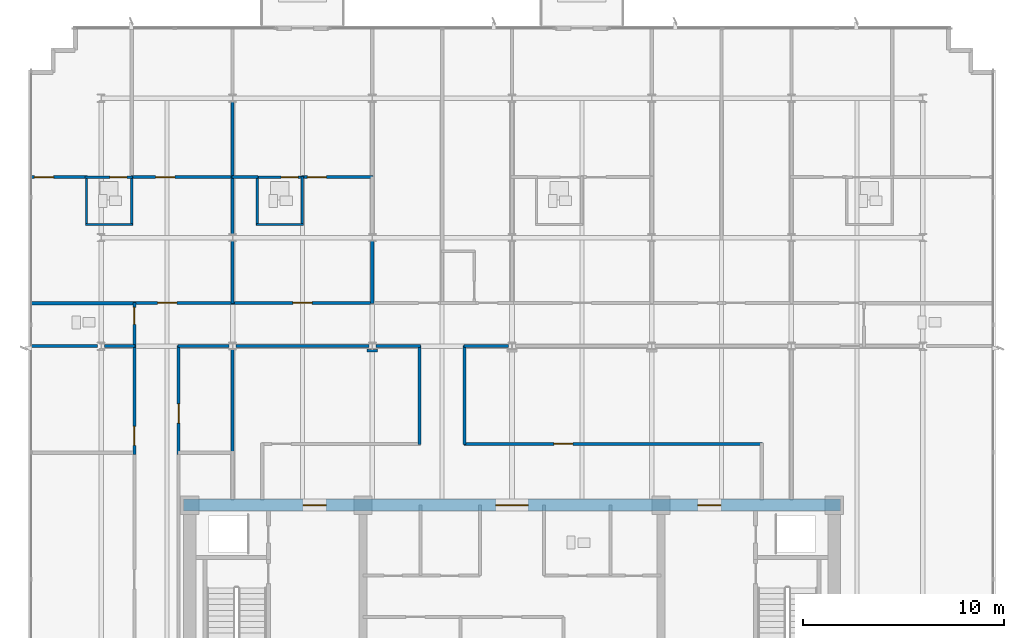
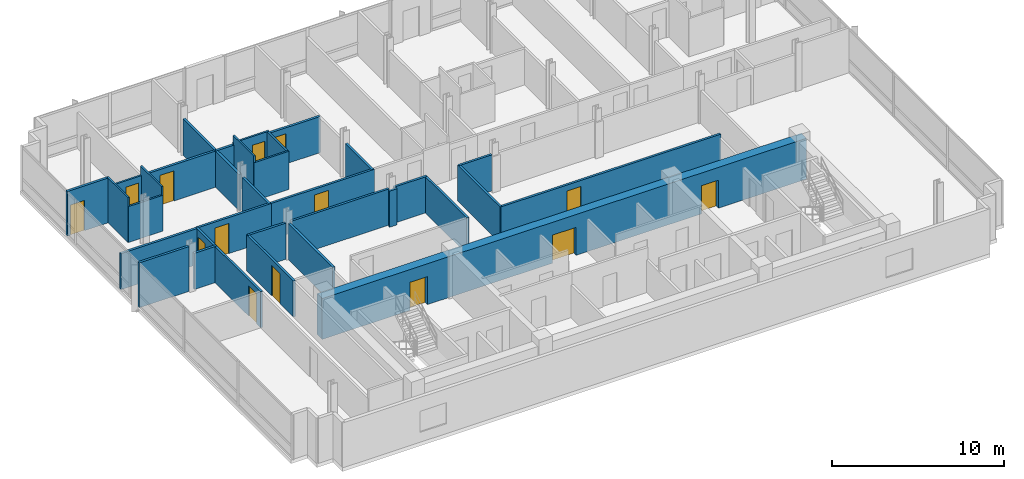
# One storey, part 9 of 15: 34 walls, 14 doors, 14 openings.
"""IFC4 building model written with IfcOpenShell, lengths in metres."""

from ifc_helpers import new_model, si_unit, direction, frame, frame_2d, origin, place, context, subcontext, project, spatial, rectangle, extrude, material, layer, layer_set, type_object, element, fill, save


model = new_model("IFC4")

# Units and contexts
model_context = context("Model", 3, precision=1e-05, world=origin(), true_north=direction((0.0, 1.0)))
body_context = subcontext(model_context, "Body", "Model", "MODEL_VIEW")
ifc_project = project(units=[si_unit("LENGTHUNIT", "METRE"), si_unit("AREAUNIT", "SQUARE_METRE"), si_unit("VOLUMEUNIT", "CUBIC_METRE"), si_unit("PLANEANGLEUNIT", "RADIAN"), si_unit("MASSUNIT", "GRAM", prefix="KILO")], contexts=[model_context])

# Site, building, storey
site_placement = place(None, origin())
site = spatial("IfcSite", under=ifc_project, at=site_placement, CompositionType="ELEMENT")
building_placement = place(site_placement, origin())
building = spatial("IfcBuilding", under=site, at=building_placement, Name="Solmavex Isthmus Hotel", CompositionType="ELEMENT")
storey_placement = place(building_placement, frame((0.0, 0.0, 259.199951171875)))
storey = spatial("IfcBuildingStorey", under=building, at=storey_placement, Name="L70", CompositionType="ELEMENT", Elevation=259.199951171875)

# Wall, opening, door
ifc_material_1 = material(Name="Gypsum plasterboard lining", Category="gypsum")
ifc_layer_1 = layer(ifc_material_1, 0.159912109375)
ifc_layer_set_1 = layer_set([ifc_layer_1], Name="Gypsum plasterboard lining")
wall_type_1 = type_object("IfcWallType", Name="IW-COMP-160", PredefinedType="PARTITIONING", material=ifc_layer_set_1)
wall_1_placement = place(storey_placement, frame((-23.919921875, 13.7880859375, 0.0), z_axis=(0.0, 0.0, 1.0), x_axis=(1.0, 0.0, 0.0)))
wall_1 = element("IfcWall", 1, at=wall_1_placement, inside=storey, type_object=wall_type_1, Name="Interior Partition Wall W-L70-P033", PredefinedType="PARTITIONING", context=body_context, shape_type="SweptSolid", body=[
    extrude(rectangle(XDim=2.833984375, YDim=0.159912109375, at=frame_2d((1.4169921875, 0.0))), origin(), (0.0, 0.0, 1.0), 3.18994140625),
])
opening_1_placement = place(wall_1_placement, frame((0.2099609375, 0.0, 0.0)))
opening_1 = element("IfcOpeningElement", 2, at=opening_1_placement, cuts=wall_1, Name="Opening ID-C095", PredefinedType="OPENING", context=body_context, shape_type="SweptSolid", body=[
    extrude(rectangle(XDim=0.949951171875, YDim=2.14990234375, at=frame_2d((0.47509765625, 1.074951171875))), frame((0.0, 0.08984375, 0.0), z_axis=(0.0, -1.0, 0.0), x_axis=(1.0, 0.0, 0.0)), (0.0, 0.0, 1.0), 0.179931640625),
])
ifc_material_2 = material(Name="Hardwood timber", Category="wood")
door_type_1 = type_object("IfcDoorType", Name="IDR-FD60-0950", OperationType="NOTDEFINED", PredefinedType="DOOR", material=ifc_material_2)
door_1_placement = place(opening_1_placement, origin())
door_1 = element("IfcDoor", 3, at=door_1_placement, inside=storey, type_object=door_type_1, Name="Ambassador Panorama Suite Master Bedroom Door L70-02", OperationType="SINGLE_SWING_RIGHT", OverallHeight=2.14990234375, OverallWidth=0.949951171875, PredefinedType="DOOR", context=body_context, shape_type="SweptSolid", body=[
    extrude(rectangle(XDim=0.949951171875, YDim=2.14990234375, at=frame_2d((0.47509765625, 1.074951171875))), frame((0.0, 0.02490234375, 0.0), z_axis=(0.0, -1.0, 0.0), x_axis=(1.0, 0.0, 0.0)), (0.0, 0.0, 1.0), 0.050048828125),
])
fill(opening_1, door_1)

wall_2_placement = place(storey_placement, frame((-18.916015625, 13.7880859375, 0.0), z_axis=(0.0, 0.0, 1.0), x_axis=(1.0, 0.0, 0.0)))
wall_2 = element("IfcWall", 4, at=wall_2_placement, inside=storey, type_object=wall_type_1, Name="Interior Partition Wall W-L70-P034", PredefinedType="PARTITIONING", context=body_context, shape_type="SweptSolid", body=[
    extrude(rectangle(XDim=5.083984375, YDim=0.159912109375, at=frame_2d((2.5419921875, 0.0))), origin(), (0.0, 0.0, 1.0), 2.572265625),
])
opening_2_placement = place(wall_2_placement, frame((1.226318359375, 0.0, 0.0)))
opening_2 = element("IfcOpeningElement", 5, at=opening_2_placement, cuts=wall_2, Name="Opening ID-C095", PredefinedType="OPENING", context=body_context, shape_type="SweptSolid", body=[
    extrude(rectangle(XDim=0.949951171875, YDim=2.14990234375, at=frame_2d((0.47509765625, 1.074951171875))), frame((0.0, 0.08984375, 0.0), z_axis=(0.0, -1.0, 0.0), x_axis=(1.0, 0.0, 0.0)), (0.0, 0.0, 1.0), 0.179931640625),
])
door_2_placement = place(opening_2_placement, origin())
door_2 = element("IfcDoor", 6, at=door_2_placement, inside=storey, type_object=door_type_1, Name="Ambassador Panorama Suite Panorama Sitting Study Door L70-03", OperationType="SINGLE_SWING_LEFT", OverallHeight=2.14990234375, OverallWidth=0.949951171875, PredefinedType="DOOR", context=body_context, shape_type="SweptSolid", body=[
    extrude(rectangle(XDim=0.949951171875, YDim=2.14990234375, at=frame_2d((0.47509765625, 1.074951171875))), frame((0.0, 0.02490234375, 0.0), z_axis=(0.0, -1.0, 0.0), x_axis=(1.0, 0.0, 0.0)), (0.0, 0.0, 1.0), 0.050048828125),
])
fill(opening_2, door_2)

# Walls
wall_3_placement = place(storey_placement, frame((-13.8720703125, 10.613037109375, 0.0), z_axis=(0.0, 0.0, 1.0), x_axis=(0.0, -1.0, 0.0)))
element("IfcWall", 7, at=wall_3_placement, inside=storey, type_object=wall_type_1, Name="Interior Partition Wall W-L70-P038", PredefinedType="PARTITIONING", context=body_context, shape_type="SweptSolid", body=[
    extrude(rectangle(XDim=3.10302734375, YDim=0.159912109375, at=frame_2d((1.551513671875, 0.0))), origin(), (0.0, 0.0, 1.0), 2.572265625),
])
wall_4_placement = place(storey_placement, frame((-13.8720703125, 13.827880859375, 0.0), z_axis=(0.0, 0.0, 1.0), x_axis=(0.0, -1.0, 0.0)))
element("IfcWall", 8, at=wall_4_placement, inside=storey, type_object=wall_type_1, Name="Interior Partition Wall W-L70-P039", PredefinedType="PARTITIONING", context=body_context, shape_type="SweptSolid", body=[
    extrude(rectangle(XDim=2.864990234375, YDim=0.159912109375, at=frame_2d((1.4326171875, 0.0))), origin(), (0.0, 0.0, 1.0), 2.572265625),
])
wall_5_placement = place(storey_placement, frame((-18.7099609375, 7.530029296875, 0.0), z_axis=(0.0, 0.0, 1.0), x_axis=(-1.0, 0.0, 0.0)))
element("IfcWall", 9, at=wall_5_placement, inside=storey, type_object=wall_type_1, Name="Interior Partition Wall W-L70-P040", PredefinedType="PARTITIONING", context=body_context, shape_type="SweptSolid", body=[
    extrude(rectangle(XDim=5.2099609375, YDim=0.159912109375, at=frame_2d((2.60498046875, 0.0))), origin(), (0.0, 0.0, 1.0), 2.5576171875),
])
wall_6_placement = place(storey_placement, frame((-13.8720703125, 17.52490234375, 0.0), z_axis=(0.0, 0.0, 1.0), x_axis=(0.0, -1.0, 0.0)))
element("IfcWall", 10, at=wall_6_placement, inside=storey, type_object=wall_type_1, Name="Interior Partition Wall W-L70-P043", PredefinedType="PARTITIONING", context=body_context, shape_type="SweptSolid", body=[
    extrude(rectangle(XDim=3.77685546875, YDim=0.159912109375, at=frame_2d((1.888427734375, 0.0))), origin(), (0.0, 0.0, 1.0), 2.572265625),
])
wall_7_placement = place(storey_placement, frame((-13.912109375, 13.7880859375, 0.0), z_axis=(0.0, 0.0, 1.0), x_axis=(1.0, 0.0, 0.0)))
element("IfcWall", 11, at=wall_7_placement, inside=storey, type_object=wall_type_1, Name="Interior Partition Wall W-L70-P045", PredefinedType="PARTITIONING", context=body_context, shape_type="SweptSolid", body=[
    extrude(rectangle(XDim=1.298095703125, YDim=0.159912109375, at=frame_2d((0.64892578125, 0.0))), origin(), (0.0, 0.0, 1.0), 2.572265625),
])

# Wall, opening, door
wall_8_placement = place(storey_placement, frame((-10.444091796875, 13.7880859375, 0.0), z_axis=(0.0, 0.0, 1.0), x_axis=(1.0, 0.0, 0.0)))
wall_8 = element("IfcWall", 12, at=wall_8_placement, inside=storey, type_object=wall_type_1, Name="Interior Partition Wall W-L70-P046", PredefinedType="PARTITIONING", context=body_context, shape_type="SweptSolid", body=[
    extrude(rectangle(XDim=3.548095703125, YDim=0.159912109375, at=frame_2d((1.77392578125, 0.0))), origin(), (0.0, 0.0, 1.0), 2.572265625),
])
opening_3_placement = place(wall_8_placement, frame((0.279296875, 0.0, 0.0)))
opening_3 = element("IfcOpeningElement", 13, at=opening_3_placement, cuts=wall_8, Name="Opening ID-C095", PredefinedType="OPENING", context=body_context, shape_type="SweptSolid", body=[
    extrude(rectangle(XDim=0.949951171875, YDim=2.14990234375, at=frame_2d((0.47509765625, 1.074951171875))), frame((0.0, 0.08984375, 0.0), z_axis=(0.0, -1.0, 0.0), x_axis=(1.0, 0.0, 0.0)), (0.0, 0.0, 1.0), 0.179931640625),
])
door_3_placement = place(opening_3_placement, origin())
door_3 = element("IfcDoor", 14, at=door_3_placement, inside=storey, type_object=door_type_1, Name="Ambassador Panorama Suite Master Bedroom Door L70-06", OperationType="SINGLE_SWING_RIGHT", OverallHeight=2.14990234375, OverallWidth=0.949951171875, PredefinedType="DOOR", context=body_context, shape_type="SweptSolid", body=[
    extrude(rectangle(XDim=0.949951171875, YDim=2.14990234375, at=frame_2d((0.47509765625, 1.074951171875))), frame((0.0, 0.02490234375, 0.0), z_axis=(0.0, -1.0, 0.0), x_axis=(1.0, 0.0, 0.0)), (0.0, 0.0, 1.0), 0.050048828125),
])
fill(opening_3, door_3)

# Walls
wall_9_placement = place(storey_placement, frame((-6.93603515625, 10.613037109375, 0.0), z_axis=(0.0, 0.0, 1.0), x_axis=(0.0, -1.0, 0.0)))
element("IfcWall", 15, at=wall_9_placement, inside=storey, type_object=wall_type_1, Name="Interior Partition Wall W-L70-P050", PredefinedType="PARTITIONING", context=body_context, shape_type="SweptSolid", body=[
    extrude(rectangle(XDim=3.10302734375, YDim=0.159912109375, at=frame_2d((1.551513671875, 0.0))), origin(), (0.0, 0.0, 1.0), 2.572265625),
])
wall_10_placement = place(storey_placement, frame((-20.574951171875, 5.39990234375, 0.0), z_axis=(0.0, 0.0, 1.0), x_axis=(-1.0, 0.0, 0.0)))
element("IfcWall", 16, at=wall_10_placement, inside=storey, type_object=wall_type_1, Name="Interior Partition Wall W-L70-P086", PredefinedType="PARTITIONING", context=body_context, shape_type="SweptSolid", body=[
    extrude(rectangle(XDim=3.344970703125, YDim=0.159912109375, at=frame_2d((1.67236328125, 0.0))), origin(), (0.0, 0.0, 1.0), 3.18994140625),
])
wall_11_placement = place(storey_placement, frame((-18.7099609375, 5.39990234375, 0.0), z_axis=(0.0, 0.0, 1.0), x_axis=(-1.0, 0.0, 0.0)))
element("IfcWall", 17, at=wall_11_placement, inside=storey, type_object=wall_type_1, Name="Interior Partition Wall W-L70-P087", PredefinedType="PARTITIONING", context=body_context, shape_type="SweptSolid", body=[
    extrude(rectangle(XDim=1.51513671875, YDim=0.159912109375, at=frame_2d((0.757568359375, 0.0))), origin(), (0.0, 0.0, 1.0), 2.572265625),
])
wall_12_placement = place(storey_placement, frame((-13.8720703125, 5.22509765625, 0.0), z_axis=(0.0, 0.0, 1.0), x_axis=(0.0, -1.0, 0.0)))
element("IfcWall", 18, at=wall_12_placement, inside=storey, type_object=wall_type_1, Name="Interior Partition Wall W-L70-P090", PredefinedType="PARTITIONING", context=body_context, shape_type="SweptSolid", body=[
    extrude(rectangle(XDim=5.1650390625, YDim=0.159912109375, at=frame_2d((2.58251953125, 0.0))), origin(), (0.0, 0.0, 1.0), 2.572265625),
])

# Wall, opening, door
ifc_layer_2 = layer(ifc_material_1, 0.14990234375)
ifc_layer_set_2 = layer_set([ifc_layer_2], Name="Gypsum plasterboard lining")
wall_type_2 = type_object("IfcWallType", Name="IW-CORR-150", PredefinedType="PARTITIONING", material=ifc_layer_set_2)
wall_13_placement = place(storey_placement, frame((-18.7900390625, 7.550048828125, 0.0), z_axis=(0.0, 0.0, 1.0), x_axis=(1.0, 0.0, 0.0)))
wall_13 = element("IfcWall", 19, at=wall_13_placement, inside=storey, type_object=wall_type_2, Name="Interior Partition Wall W-L70-P001", PredefinedType="PARTITIONING", context=body_context, shape_type="SweptSolid", body=[
    extrude(rectangle(XDim=5.0, YDim=0.14990234375, at=frame_2d((2.5, 0.0))), origin(), (0.0, 0.0, 1.0), 2.572265625),
])
opening_4_placement = place(wall_13_placement, frame((1.198486328125, 0.0, 0.0)))
opening_4 = element("IfcOpeningElement", 20, at=opening_4_placement, cuts=wall_13, Name="Opening ID-C095", PredefinedType="OPENING", context=body_context, shape_type="SweptSolid", body=[
    extrude(rectangle(XDim=0.949951171875, YDim=2.14990234375, at=frame_2d((0.47509765625, 1.074951171875))), frame((0.0, 0.0849609375, 0.0), z_axis=(0.0, -1.0, 0.0), x_axis=(1.0, 0.0, 0.0)), (0.0, 0.0, 1.0), 0.169921875),
])
door_4_placement = place(opening_4_placement, origin())
door_4 = element("IfcDoor", 21, at=door_4_placement, inside=storey, type_object=door_type_1, Name="Ambassador Panorama Suite Living Salon Door L70-01", OperationType="SINGLE_SWING_LEFT", OverallHeight=2.14990234375, OverallWidth=0.949951171875, PredefinedType="DOOR", context=body_context, shape_type="SweptSolid", body=[
    extrude(rectangle(XDim=0.949951171875, YDim=2.14990234375, at=frame_2d((0.47509765625, 1.074951171875))), frame((0.0, 0.02490234375, 0.0), z_axis=(0.0, -1.0, 0.0), x_axis=(1.0, 0.0, 0.0)), (0.0, 0.0, 1.0), 0.050048828125),
])
fill(opening_4, door_4)

wall_14_placement = place(storey_placement, frame((-13.9541015625, 7.550048828125, 0.0), z_axis=(0.0, 0.0, 1.0), x_axis=(1.0, 0.0, 0.0)))
wall_14 = element("IfcWall", 22, at=wall_14_placement, inside=storey, type_object=wall_type_2, Name="Interior Partition Wall W-L70-P002", PredefinedType="PARTITIONING", context=body_context, shape_type="SweptSolid", body=[
    extrude(rectangle(XDim=7.10009765625, YDim=0.14990234375, at=frame_2d((3.550048828125, 0.0))), origin(), (0.0, 0.0, 1.0), 2.572265625),
])
opening_5_placement = place(wall_14_placement, frame((3.074951171875, 0.0, 0.0)))
opening_5 = element("IfcOpeningElement", 23, at=opening_5_placement, cuts=wall_14, Name="Opening ID-C095", PredefinedType="OPENING", context=body_context, shape_type="SweptSolid", body=[
    extrude(rectangle(XDim=0.949951171875, YDim=2.14990234375, at=frame_2d((0.47509765625, 1.074951171875))), frame((0.0, 0.0849609375, 0.0), z_axis=(0.0, -1.0, 0.0), x_axis=(1.0, 0.0, 0.0)), (0.0, 0.0, 1.0), 0.169921875),
])
door_5_placement = place(opening_5_placement, origin())
door_5 = element("IfcDoor", 24, at=door_5_placement, inside=storey, type_object=door_type_1, Name="Ambassador Panorama Suite Living Salon Door L70-05", OperationType="SINGLE_SWING_LEFT", OverallHeight=2.14990234375, OverallWidth=0.949951171875, PredefinedType="DOOR", context=body_context, shape_type="SweptSolid", body=[
    extrude(rectangle(XDim=0.949951171875, YDim=2.14990234375, at=frame_2d((0.47509765625, 1.074951171875))), frame((0.0, 0.02490234375, 0.0), z_axis=(0.0, -1.0, 0.0), x_axis=(1.0, 0.0, 0.0)), (0.0, 0.0, 1.0), 0.050048828125),
])
fill(opening_5, door_5)

wall_15_placement = place(storey_placement, frame((-18.75, 5.318115234375, 0.0), z_axis=(0.0, 0.0, 1.0), x_axis=(0.0, 1.0, 0.0)))
wall_15 = element("IfcWall", 25, at=wall_15_placement, inside=storey, type_object=wall_type_2, Name="Interior Partition Wall W-L70-P010", PredefinedType="PARTITIONING", context=body_context, shape_type="SweptSolid", body=[
    extrude(rectangle(XDim=2.251953125, YDim=0.14990234375, at=frame_2d((1.1259765625, 0.0))), origin(), (0.0, 0.0, 1.0), 2.572265625),
])
opening_6_placement = place(wall_15_placement, frame((1.156982421875, 0.0, 0.0)))
opening_6 = element("IfcOpeningElement", 26, at=opening_6_placement, cuts=wall_15, Name="Opening ID-R085", PredefinedType="OPENING", context=body_context, shape_type="SweptSolid", body=[
    extrude(rectangle(XDim=0.85009765625, YDim=2.050048828125, at=frame_2d((0.425048828125, 1.02490234375))), frame((0.0, 0.0849609375, 0.0), z_axis=(0.0, -1.0, 0.0), x_axis=(1.0, 0.0, 0.0)), (0.0, 0.0, 1.0), 0.169921875),
])
ifc_material_3 = material(Name="Steel ASTM A500 Grade C", Category="steel")
door_type_2 = type_object("IfcDoorType", Name="IDR-FD60-0850", OperationType="NOTDEFINED", PredefinedType="DOOR", material=ifc_material_3)
door_6_placement = place(opening_6_placement, frame((0.85009765625, 0.0, 0.0), z_axis=(0.0, 0.0, 1.0), x_axis=(-1.0, 0.0, 0.0)))
door_6 = element("IfcDoor", 27, at=door_6_placement, inside=storey, type_object=door_type_2, Name="Accessible Public Restroom WC Door L70-20", OperationType="SINGLE_SWING_RIGHT", OverallHeight=2.050048828125, OverallWidth=0.85009765625, PredefinedType="DOOR", context=body_context, shape_type="SweptSolid", body=[
    extrude(rectangle(XDim=0.85009765625, YDim=2.050048828125, at=frame_2d((0.425048828125, 1.02490234375))), frame((0.0, 0.02490234375, 0.0), z_axis=(0.0, -1.0, 0.0), x_axis=(1.0, 0.0, 0.0)), (0.0, 0.0, 1.0), 0.050048828125),
])
fill(opening_6, door_6)

# Wall
wall_16_placement = place(storey_placement, frame((-14.047119140625, 5.39990234375, 0.0), z_axis=(0.0, 0.0, 1.0), x_axis=(-1.0, 0.0, 0.0)))
element("IfcWall", 28, at=wall_16_placement, inside=storey, type_object=wall_type_2, Name="Interior Partition Wall W-L70-P012", PredefinedType="PARTITIONING", context=body_context, shape_type="SweptSolid", body=[
    extrude(rectangle(XDim=2.54296875, YDim=0.14990234375, at=frame_2d((1.271484375, 0.0))), origin(), (0.0, 0.0, 1.0), 2.572265625),
])

# Wall, opening, door
wall_17_placement = place(storey_placement, frame((-16.550048828125, 5.43994140625, 0.0), z_axis=(0.0, 0.0, 1.0), x_axis=(0.0, -1.0, 0.0)))
wall_17 = element("IfcWall", 29, at=wall_17_placement, inside=storey, type_object=wall_type_2, Name="Interior Partition Wall W-L70-P013", PredefinedType="PARTITIONING", context=body_context, shape_type="SweptSolid", body=[
    extrude(rectangle(XDim=5.421875, YDim=0.14990234375, at=frame_2d((2.7109375, 0.0))), origin(), (0.0, 0.0, 1.0), 2.572265625),
])
opening_7_placement = place(wall_17_placement, frame((2.9091796875, 0.0, 0.0)))
opening_7 = element("IfcOpeningElement", 30, at=opening_7_placement, cuts=wall_17, Name="Opening ID-C095", PredefinedType="OPENING", context=body_context, shape_type="SweptSolid", body=[
    extrude(rectangle(XDim=0.949951171875, YDim=2.14990234375, at=frame_2d((0.47509765625, 1.074951171875))), frame((0.0, 0.0849609375, 0.0), z_axis=(0.0, -1.0, 0.0), x_axis=(1.0, 0.0, 0.0)), (0.0, 0.0, 1.0), 0.169921875),
])
door_7_placement = place(opening_7_placement, frame((0.949951171875, 0.0, 0.0), z_axis=(0.0, 0.0, 1.0), x_axis=(-1.0, 0.0, 0.0)))
door_7 = element("IfcDoor", 31, at=door_7_placement, inside=storey, type_object=door_type_1, Name="Butler Kitchen Door L70-22", OperationType="SINGLE_SWING_RIGHT", OverallHeight=2.14990234375, OverallWidth=0.949951171875, PredefinedType="DOOR", context=body_context, shape_type="SweptSolid", body=[
    extrude(rectangle(XDim=0.949951171875, YDim=2.14990234375, at=frame_2d((0.47509765625, 1.074951171875))), frame((0.0, 0.02490234375, 0.0), z_axis=(0.0, -1.0, 0.0), x_axis=(1.0, 0.0, 0.0)), (0.0, 0.0, 1.0), 0.050048828125),
])
fill(opening_7, door_7)

wall_18_placement = place(storey_placement, frame((-18.75, 0.01806640625, 0.0), z_axis=(0.0, 0.0, 1.0), x_axis=(0.0, 1.0, 0.0)))
wall_18 = element("IfcWall", 32, at=wall_18_placement, inside=storey, type_object=wall_type_2, Name="Interior Partition Wall W-L70-P014", PredefinedType="PARTITIONING", context=body_context, shape_type="SweptSolid", body=[
    extrude(rectangle(XDim=5.4638671875, YDim=0.14990234375, at=frame_2d((2.73193359375, 0.0))), origin(), (0.0, 0.0, 1.0), 2.572265625),
])
opening_8_placement = place(wall_18_placement, frame((0.447998046875, 0.0, 0.0)))
opening_8 = element("IfcOpeningElement", 33, at=opening_8_placement, cuts=wall_18, Name="Opening ID-C095", PredefinedType="OPENING", context=body_context, shape_type="SweptSolid", body=[
    extrude(rectangle(XDim=0.949951171875, YDim=2.14990234375, at=frame_2d((0.47509765625, 1.074951171875))), frame((0.0, 0.0849609375, 0.0), z_axis=(0.0, -1.0, 0.0), x_axis=(1.0, 0.0, 0.0)), (0.0, 0.0, 1.0), 0.169921875),
])
door_8_placement = place(opening_8_placement, origin())
door_8 = element("IfcDoor", 34, at=door_8_placement, inside=storey, type_object=door_type_1, Name="Wellness Treatment Room Door L70-23", OperationType="SINGLE_SWING_LEFT", OverallHeight=2.14990234375, OverallWidth=0.949951171875, PredefinedType="DOOR", context=body_context, shape_type="SweptSolid", body=[
    extrude(rectangle(XDim=0.949951171875, YDim=2.14990234375, at=frame_2d((0.47509765625, 1.074951171875))), frame((0.0, 0.02490234375, 0.0), z_axis=(0.0, -1.0, 0.0), x_axis=(1.0, 0.0, 0.0)), (0.0, 0.0, 1.0), 0.050048828125),
])
fill(opening_8, door_8)

# Walls
wall_19_placement = place(storey_placement, frame((-4.587890625, 0.510009765625, 0.0), z_axis=(0.0, 0.0, 1.0), x_axis=(0.0, 1.0, 0.0)))
element("IfcWall", 35, at=wall_19_placement, inside=storey, type_object=wall_type_2, Name="Interior Partition Wall W-L70-P017", PredefinedType="PARTITIONING", context=body_context, shape_type="SweptSolid", body=[
    extrude(rectangle(XDim=4.929931640625, YDim=0.14990234375, at=frame_2d((2.46484375, 0.0))), origin(), (0.0, 0.0, 1.0), 2.572265625),
])
wall_20_placement = place(storey_placement, frame((-4.548095703125, 5.39990234375, 0.0), z_axis=(0.0, 0.0, 1.0), x_axis=(-1.0, 0.0, 0.0)))
element("IfcWall", 36, at=wall_20_placement, inside=storey, type_object=wall_type_2, Name="Interior Partition Wall W-L70-P018", PredefinedType="PARTITIONING", context=body_context, shape_type="SweptSolid", body=[
    extrude(rectangle(XDim=2.212890625, YDim=0.14990234375, at=frame_2d((1.1064453125, 0.0))), origin(), (0.0, 0.0, 1.0), 2.572265625),
])
wall_21_placement = place(storey_placement, frame((-6.680908203125, 5.18505859375, 0.0), z_axis=(0.0, 0.0, 1.0), x_axis=(-1.0, 0.0, 0.0)))
element("IfcWall", 37, at=wall_21_placement, inside=storey, type_object=wall_type_2, Name="Interior Partition Wall W-L70-P019", PredefinedType="PARTITIONING", context=body_context, shape_type="SweptSolid", body=[
    extrude(rectangle(XDim=0.510009765625, YDim=0.14990234375, at=frame_2d((0.2548828125, 0.0))), origin(), (0.0, 0.0, 1.0), 2.572265625),
])
wall_22_placement = place(storey_placement, frame((-7.111083984375, 5.39990234375, 0.0), z_axis=(0.0, 0.0, 1.0), x_axis=(-1.0, 0.0, 0.0)))
element("IfcWall", 38, at=wall_22_placement, inside=storey, type_object=wall_type_2, Name="Interior Partition Wall W-L70-P020", PredefinedType="PARTITIONING", context=body_context, shape_type="SweptSolid", body=[
    extrude(rectangle(XDim=6.5859375, YDim=0.14990234375, at=frame_2d((3.29296875, 0.0))), origin(), (0.0, 0.0, 1.0), 2.572265625),
])
wall_23_placement = place(storey_placement, frame((-0.175048828125, 5.39990234375, 0.0), z_axis=(0.0, 0.0, 1.0), x_axis=(-1.0, 0.0, 0.0)))
element("IfcWall", 39, at=wall_23_placement, inside=storey, type_object=wall_type_2, Name="Interior Partition Wall W-L70-P025", PredefinedType="PARTITIONING", context=body_context, shape_type="SweptSolid", body=[
    extrude(rectangle(XDim=2.212890625, YDim=0.14990234375, at=frame_2d((1.1064453125, 0.0))), origin(), (0.0, 0.0, 1.0), 2.572265625),
])
wall_24_placement = place(storey_placement, frame((-2.347900390625, 5.43994140625, 0.0), z_axis=(0.0, 0.0, 1.0), x_axis=(0.0, -1.0, 0.0)))
element("IfcWall", 40, at=wall_24_placement, inside=storey, type_object=wall_type_2, Name="Interior Partition Wall W-L70-P026", PredefinedType="PARTITIONING", context=body_context, shape_type="SweptSolid", body=[
    extrude(rectangle(XDim=4.929931640625, YDim=0.14990234375, at=frame_2d((2.46484375, 0.0))), origin(), (0.0, 0.0, 1.0), 2.572265625),
])

# Wall, opening, door
wall_25_placement = place(storey_placement, frame((-2.387939453125, 0.550048828125, 0.0), z_axis=(0.0, 0.0, 1.0), x_axis=(1.0, 0.0, 0.0)))
wall_25 = element("IfcWall", 41, at=wall_25_placement, inside=storey, type_object=wall_type_2, Name="Interior Partition Wall W-L70-P027", PredefinedType="PARTITIONING", context=body_context, shape_type="SweptSolid", body=[
    extrude(rectangle(XDim=14.827880859375, YDim=0.14990234375, at=frame_2d((7.4140625, 0.0))), origin(), (0.0, 0.0, 1.0), 2.572265625),
])
opening_9_placement = place(wall_25_placement, frame((4.461181640625, 0.0, 0.0)))
opening_9 = element("IfcOpeningElement", 42, at=opening_9_placement, cuts=wall_25, Name="Opening ID-C095", PredefinedType="OPENING", context=body_context, shape_type="SweptSolid", body=[
    extrude(rectangle(XDim=0.949951171875, YDim=2.14990234375, at=frame_2d((0.47509765625, 1.074951171875))), frame((0.0, 0.0849609375, 0.0), z_axis=(0.0, -1.0, 0.0), x_axis=(1.0, 0.0, 0.0)), (0.0, 0.0, 1.0), 0.169921875),
])
door_9_placement = place(opening_9_placement, frame((0.949951171875, 0.0, 0.0), z_axis=(0.0, 0.0, 1.0), x_axis=(-1.0, 0.0, 0.0)))
door_9 = element("IfcDoor", 43, at=door_9_placement, inside=storey, type_object=door_type_1, Name="Wellness Treatment Room Door L70-25", OperationType="SINGLE_SWING_LEFT", OverallHeight=2.14990234375, OverallWidth=0.949951171875, PredefinedType="DOOR", context=body_context, shape_type="SweptSolid", body=[
    extrude(rectangle(XDim=0.949951171875, YDim=2.14990234375, at=frame_2d((0.47509765625, 1.074951171875))), frame((0.0, 0.02490234375, 0.0), z_axis=(0.0, -1.0, 0.0), x_axis=(1.0, 0.0, 0.0)), (0.0, 0.0, 1.0), 0.050048828125),
])
fill(opening_9, door_9)

# Walls
ifc_layer_3 = layer(ifc_material_1, 0.1201171875)
ifc_layer_set_3 = layer_set([ifc_layer_3], Name="Gypsum plasterboard lining")
wall_type_3 = type_object("IfcWallType", Name="IW-PART-120", PredefinedType="PARTITIONING", material=ifc_layer_set_3)
wall_26_placement = place(storey_placement, frame((-21.1259765625, 13.827880859375, 0.0), z_axis=(0.0, 0.0, 1.0), x_axis=(0.0, -1.0, 0.0)))
element("IfcWall", 44, at=wall_26_placement, inside=storey, type_object=wall_type_3, Name="Interior Partition Wall W-L70-P035", PredefinedType="PARTITIONING", context=body_context, shape_type="SweptSolid", body=[
    extrude(rectangle(XDim=2.429931640625, YDim=0.1201171875, at=frame_2d((1.21484375, 0.0))), origin(), (0.0, 0.0, 1.0), 3.18994140625),
])
wall_27_placement = place(storey_placement, frame((-21.166015625, 11.43798828125, 0.0), z_axis=(0.0, 0.0, 1.0), x_axis=(1.0, 0.0, 0.0)))
element("IfcWall", 45, at=wall_27_placement, inside=storey, type_object=wall_type_3, Name="Interior Partition Wall W-L70-P036", PredefinedType="PARTITIONING", context=body_context, shape_type="SweptSolid", body=[
    extrude(rectangle(XDim=2.330078125, YDim=0.1201171875, at=frame_2d((1.1650390625, 0.0))), origin(), (0.0, 0.0, 1.0), 2.5576171875),
])
wall_28_placement = place(storey_placement, frame((-18.8759765625, 11.39794921875, 0.0), z_axis=(0.0, 0.0, 1.0), x_axis=(0.0, 1.0, 0.0)))
element("IfcWall", 46, at=wall_28_placement, inside=storey, type_object=wall_type_3, Name="Interior Partition Wall W-L70-P037", PredefinedType="PARTITIONING", context=body_context, shape_type="SweptSolid", body=[
    extrude(rectangle(XDim=2.429931640625, YDim=0.1201171875, at=frame_2d((1.21484375, 0.0))), origin(), (0.0, 0.0, 1.0), 3.18994140625),
])

# Wall, opening, door
wall_29_placement = place(storey_placement, frame((-18.8359375, 13.7880859375, 0.0), z_axis=(0.0, 0.0, 1.0), x_axis=(-1.0, 0.0, 0.0)))
wall_29 = element("IfcWall", 47, at=wall_29_placement, inside=storey, type_object=wall_type_3, Name="Interior Partition Wall W-L70-P042", PredefinedType="PARTITIONING", context=body_context, shape_type="SweptSolid", body=[
    extrude(rectangle(XDim=2.3720703125, YDim=0.1201171875, at=frame_2d((1.18603515625, 0.0))), origin(), (0.0, 0.0, 1.0), 2.5576171875),
])
opening_10_placement = place(wall_29_placement, frame((0.27978515625, 0.0, 0.0)))
opening_10 = element("IfcOpeningElement", 48, at=opening_10_placement, cuts=wall_29, Name="Opening ID-U085", PredefinedType="OPENING", context=body_context, shape_type="SweptSolid", body=[
    extrude(rectangle(XDim=0.85009765625, YDim=2.10009765625, at=frame_2d((0.425048828125, 1.050048828125))), frame((0.0, 0.070068359375, 0.0), z_axis=(0.0, -1.0, 0.0), x_axis=(1.0, 0.0, 0.0)), (0.0, 0.0, 1.0), 0.14013671875),
])
door_type_3 = type_object("IfcDoorType", Name="IDR-UNR-0850", OperationType="NOTDEFINED", PredefinedType="DOOR", material=ifc_material_2)
door_10_placement = place(opening_10_placement, frame((0.85009765625, 0.0, 0.0), z_axis=(0.0, 0.0, 1.0), x_axis=(-1.0, 0.0, 0.0)))
door_10 = element("IfcDoor", 49, at=door_10_placement, inside=storey, type_object=door_type_3, Name="En-suite Bathroom Door L70-04", OperationType="SINGLE_SWING_RIGHT", OverallHeight=2.10009765625, OverallWidth=0.85009765625, PredefinedType="DOOR", context=body_context, shape_type="SweptSolid", body=[
    extrude(rectangle(XDim=0.85009765625, YDim=2.10009765625, at=frame_2d((0.425048828125, 1.050048828125))), frame((0.0, 0.02490234375, 0.0), z_axis=(0.0, -1.0, 0.0), x_axis=(1.0, 0.0, 0.0)), (0.0, 0.0, 1.0), 0.050048828125),
])
fill(opening_10, door_10)

# Walls
wall_30_placement = place(storey_placement, frame((-12.654052734375, 13.827880859375, 0.0), z_axis=(0.0, 0.0, 1.0), x_axis=(0.0, -1.0, 0.0)))
element("IfcWall", 50, at=wall_30_placement, inside=storey, type_object=wall_type_3, Name="Interior Partition Wall W-L70-P047", PredefinedType="PARTITIONING", context=body_context, shape_type="SweptSolid", body=[
    extrude(rectangle(XDim=2.429931640625, YDim=0.1201171875, at=frame_2d((1.21484375, 0.0))), origin(), (0.0, 0.0, 1.0), 3.18994140625),
])
wall_31_placement = place(storey_placement, frame((-12.694091796875, 11.43798828125, 0.0), z_axis=(0.0, 0.0, 1.0), x_axis=(1.0, 0.0, 0.0)))
element("IfcWall", 51, at=wall_31_placement, inside=storey, type_object=wall_type_3, Name="Interior Partition Wall W-L70-P048", PredefinedType="PARTITIONING", context=body_context, shape_type="SweptSolid", body=[
    extrude(rectangle(XDim=2.330078125, YDim=0.1201171875, at=frame_2d((1.1650390625, 0.0))), origin(), (0.0, 0.0, 1.0), 2.71826171875),
])
wall_32_placement = place(storey_placement, frame((-10.404052734375, 11.39794921875, 0.0), z_axis=(0.0, 0.0, 1.0), x_axis=(0.0, 1.0, 0.0)))
element("IfcWall", 52, at=wall_32_placement, inside=storey, type_object=wall_type_3, Name="Interior Partition Wall W-L70-P049", PredefinedType="PARTITIONING", context=body_context, shape_type="SweptSolid", body=[
    extrude(rectangle(XDim=2.429931640625, YDim=0.1201171875, at=frame_2d((1.21484375, 0.0))), origin(), (0.0, 0.0, 1.0), 2.71826171875),
])

# Wall, opening, door
wall_33_placement = place(storey_placement, frame((-10.322021484375, 13.7880859375, 0.0), z_axis=(0.0, 0.0, 1.0), x_axis=(-1.0, 0.0, 0.0)))
wall_33 = element("IfcWall", 53, at=wall_33_placement, inside=storey, type_object=wall_type_3, Name="Interior Partition Wall W-L70-P052", PredefinedType="PARTITIONING", context=body_context, shape_type="SweptSolid", body=[
    extrude(rectangle(XDim=2.4140625, YDim=0.1201171875, at=frame_2d((1.20703125, 0.0))), origin(), (0.0, 0.0, 1.0), 2.71826171875),
])
opening_11_placement = place(wall_33_placement, frame((0.2919921875, 0.0, 0.0)))
opening_11 = element("IfcOpeningElement", 54, at=opening_11_placement, cuts=wall_33, Name="Opening ID-U085", PredefinedType="OPENING", context=body_context, shape_type="SweptSolid", body=[
    extrude(rectangle(XDim=0.85009765625, YDim=2.10009765625, at=frame_2d((0.425048828125, 1.050048828125))), frame((0.0, 0.070068359375, 0.0), z_axis=(0.0, -1.0, 0.0), x_axis=(1.0, 0.0, 0.0)), (0.0, 0.0, 1.0), 0.14013671875),
])
door_11_placement = place(opening_11_placement, frame((0.85009765625, 0.0, 0.0), z_axis=(0.0, 0.0, 1.0), x_axis=(-1.0, 0.0, 0.0)))
door_11 = element("IfcDoor", 55, at=door_11_placement, inside=storey, type_object=door_type_3, Name="En-suite Bathroom Door L70-07", OperationType="SINGLE_SWING_LEFT", OverallHeight=2.10009765625, OverallWidth=0.85009765625, PredefinedType="DOOR", context=body_context, shape_type="SweptSolid", body=[
    extrude(rectangle(XDim=0.85009765625, YDim=2.10009765625, at=frame_2d((0.425048828125, 1.050048828125))), frame((0.0, 0.02490234375, 0.0), z_axis=(0.0, -1.0, 0.0), x_axis=(1.0, 0.0, 0.0)), (0.0, 0.0, 1.0), 0.050048828125),
])
fill(opening_11, door_11)

# Wall, openings, doors
ifc_material_4 = material(Name="Concrete C50/60", Category="concrete")
ifc_layer_4 = layer(ifc_material_4, 0.60009765625)
ifc_layer_set_4 = layer_set([ifc_layer_4], Name="Concrete C50/60")
wall_type_4 = type_object("IfcWallType", Name="WALL-CW-600", PredefinedType="SHEAR", material=ifc_layer_set_4)
wall_34_placement = place(storey_placement, frame((-16.300048828125, -2.5, 0.0), z_axis=(0.0, 0.0, 1.0), x_axis=(1.0, 0.0, 0.0)))
wall_34 = element("IfcWall", 56, at=wall_34_placement, inside=storey, type_object=wall_type_4, Name="Core Shear Wall North L70", PredefinedType="SHEAR", context=body_context, shape_type="SweptSolid", body=[
    extrude(rectangle(XDim=32.60009765625, YDim=0.60009765625, at=frame_2d((16.300048828125, 0.0))), origin(), (0.0, 0.0, 1.0), 2.91015625),
])
opening_12_placement = place(wall_34_placement, frame((5.925048828125, 0.0, 0.0)))
opening_12 = element("IfcOpeningElement", 57, at=opening_12_placement, cuts=wall_34, Name="Opening ID-F915", PredefinedType="OPENING", context=body_context, shape_type="SweptSolid", body=[
    extrude(rectangle(XDim=1.14990234375, YDim=2.0, at=frame_2d((0.574951171875, 1.0))), frame((0.0, 0.31005859375, 0.0), z_axis=(0.0, -1.0, 0.0), x_axis=(1.0, 0.0, 0.0)), (0.0, 0.0, 1.0), 0.6201171875),
])
opening_13_placement = place(wall_34_placement, frame((15.5, 0.0, 0.0)))
opening_13 = element("IfcOpeningElement", 58, at=opening_13_placement, cuts=wall_34, Name="Opening ID-F960", PredefinedType="OPENING", context=body_context, shape_type="SweptSolid", body=[
    extrude(rectangle(XDim=1.60009765625, YDim=2.0, at=frame_2d((0.800048828125, 1.0))), frame((0.0, 0.31005859375, 0.0), z_axis=(0.0, -1.0, 0.0), x_axis=(1.0, 0.0, 0.0)), (0.0, 0.0, 1.0), 0.6201171875),
])
opening_14_placement = place(wall_34_placement, frame((25.52490234375, 0.0, 0.0)))
opening_14 = element("IfcOpeningElement", 59, at=opening_14_placement, cuts=wall_34, Name="Opening ID-F915", PredefinedType="OPENING", context=body_context, shape_type="SweptSolid", body=[
    extrude(rectangle(XDim=1.14990234375, YDim=2.0, at=frame_2d((0.574951171875, 1.0))), frame((0.0, 0.31005859375, 0.0), z_axis=(0.0, -1.0, 0.0), x_axis=(1.0, 0.0, 0.0)), (0.0, 0.0, 1.0), 0.6201171875),
])
door_type_4 = type_object("IfcDoorType", Name="IDR-FD90-1150C", OperationType="NOTDEFINED", PredefinedType="DOOR", material=ifc_material_3)
door_12_placement = place(opening_12_placement, origin())
door_12 = element("IfcDoor", 60, at=door_12_placement, inside=storey, type_object=door_type_4, Name="Firefighting Lobby West Exit Door L70", OperationType="SINGLE_SWING_LEFT", OverallHeight=2.0, OverallWidth=1.14990234375, PredefinedType="DOOR", context=body_context, shape_type="SweptSolid", body=[
    extrude(rectangle(XDim=1.14990234375, YDim=2.0, at=frame_2d((0.574951171875, 1.0))), frame((0.0, 0.02490234375, 0.0), z_axis=(0.0, -1.0, 0.0), x_axis=(1.0, 0.0, 0.0)), (0.0, 0.0, 1.0), 0.050048828125),
])
fill(opening_12, door_12)
door_13_placement = place(opening_14_placement, origin())
door_13 = element("IfcDoor", 61, at=door_13_placement, inside=storey, type_object=door_type_4, Name="Firefighting Lobby East Exit Door L70", OperationType="SINGLE_SWING_RIGHT", OverallHeight=2.0, OverallWidth=1.14990234375, PredefinedType="DOOR", context=body_context, shape_type="SweptSolid", body=[
    extrude(rectangle(XDim=1.14990234375, YDim=2.0, at=frame_2d((0.574951171875, 1.0))), frame((0.0, 0.02490234375, 0.0), z_axis=(0.0, -1.0, 0.0), x_axis=(1.0, 0.0, 0.0)), (0.0, 0.0, 1.0), 0.050048828125),
])
fill(opening_14, door_13)
door_type_5 = type_object("IfcDoorType", Name="IDR-FD90-1600C", OperationType="NOTDEFINED", PredefinedType="DOOR", material=ifc_material_3)
door_14_placement = place(opening_13_placement, origin())
door_14 = element("IfcDoor", 62, at=door_14_placement, inside=storey, type_object=door_type_5, Name="Central Lift Lobby Door L70", OperationType="DOUBLE_DOOR_SINGLE_SWING", OverallHeight=2.0, OverallWidth=1.60009765625, PredefinedType="DOOR", context=body_context, shape_type="SweptSolid", body=[
    extrude(rectangle(XDim=1.60009765625, YDim=2.0, at=frame_2d((0.800048828125, 1.0))), frame((0.0, 0.02490234375, 0.0), z_axis=(0.0, -1.0, 0.0), x_axis=(1.0, 0.0, 0.0)), (0.0, 0.0, 1.0), 0.050048828125),
])
fill(opening_13, door_14)

save(model, "model.ifc")
